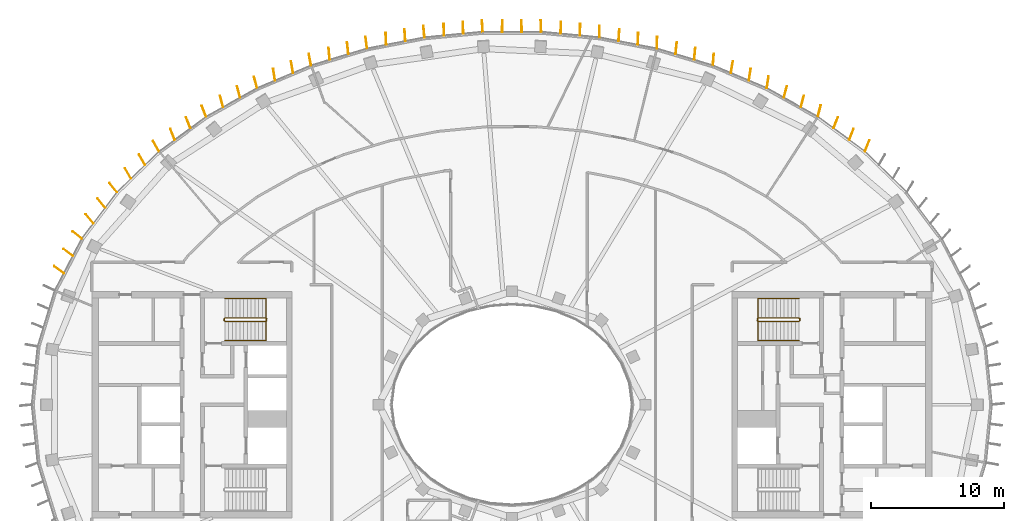
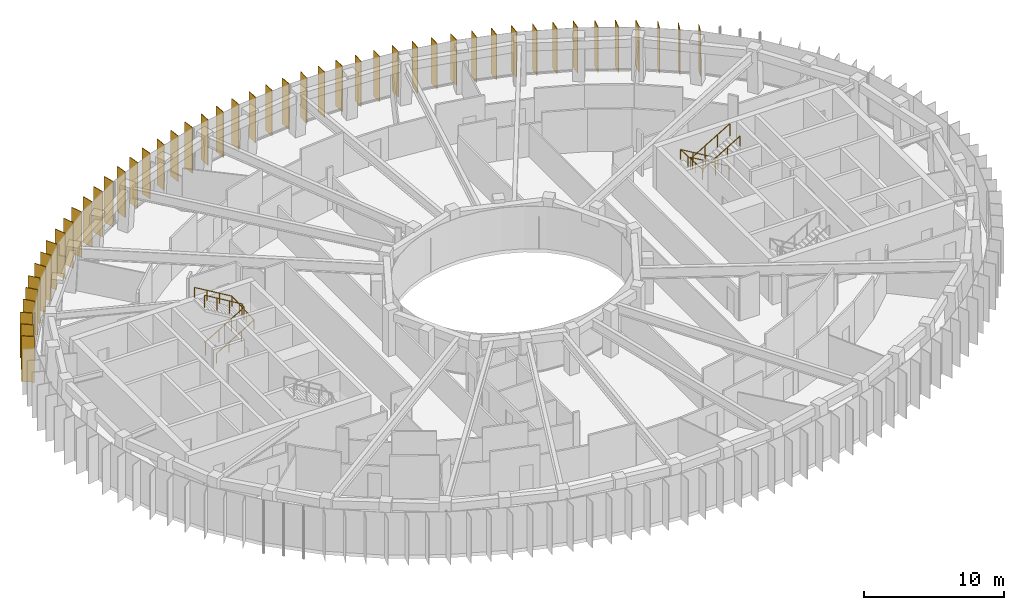
# One storey, part 12 of 13: 48 coverings, 4 railings.
"""IFC4 building model written with IfcOpenShell, lengths in metres."""

from ifc_helpers import new_model, si_unit, direction, frame, origin, origin_2d, place, context, subcontext, project, spatial, rectangle, extrude, material, material_profile, profile_set, type_object, element, save


model = new_model("IFC4")

# Units and contexts
model_context = context("Model", 3, precision=1e-05, world=origin(), true_north=direction((0.0, 1.0)))
body_context = subcontext(model_context, "Body", "Model", "MODEL_VIEW")
ifc_project = project(units=[si_unit("LENGTHUNIT", "METRE"), si_unit("AREAUNIT", "SQUARE_METRE"), si_unit("VOLUMEUNIT", "CUBIC_METRE"), si_unit("PLANEANGLEUNIT", "RADIAN"), si_unit("MASSUNIT", "GRAM", prefix="KILO")], contexts=[model_context])

# Site, building, storey
site_placement = place(None, origin())
site = spatial("IfcSite", under=ifc_project, at=site_placement, CompositionType="ELEMENT")
building_placement = place(site_placement, origin())
building = spatial("IfcBuilding", under=site, at=building_placement, Name="Noorbagh Ring Tower", CompositionType="ELEMENT")
storey_placement = place(building_placement, frame((0.0, 0.0, 327.0)))
storey = spatial("IfcBuildingStorey", under=building, at=storey_placement, Name="L71", CompositionType="ELEMENT", Elevation=327.0)

# Railings
ifc_material_1 = material(Name="Stainless steel", Category="steel")
railing_type_1 = type_object("IfcRailingType", Name="CORE-STAIR-GUARD", PredefinedType="GUARDRAIL", material=ifc_material_1)
railing_1_placement = place(storey_placement, frame((-21.580078125, 6.300048828125, 0.0)))
element("IfcRailing", 1, at=railing_1_placement, inside=storey, type_object=railing_type_1, Name="L71 ST1 stair guard", PredefinedType="GUARDRAIL", context=body_context, shape_type="SweptSolid", body=[
    extrude(rectangle(XDim=0.048095703125, YDim=0.048095703125, at=origin_2d()), frame((0.0, 0.0, 1.076171875), z_axis=(0.0, 1.0, 0.0), x_axis=(-1.0, 0.0, 0.0)), (0.0, 0.0, 1.0), 0.14990234375),
    extrude(rectangle(XDim=0.048095703125, YDim=0.048095703125, at=origin_2d()), frame((0.0, 0.14990234375, 1.076171875), z_axis=(0.188775798145, -0.754182335027, 0.628945707965), x_axis=(0.970072785993, 0.242814311512, 0.0)), (0.0, 0.0, 1.0), 0.26513671875),
    extrude(rectangle(XDim=0.048095703125, YDim=0.048095703125, at=origin_2d()), frame((0.050048828125, -0.050048828125, 1.24267578125), z_axis=(0.859308565015, 0.0, 0.511457515432), x_axis=(0.0, 1.0, 0.0)), (0.0, 0.0, 1.0), 3.58447265625),
    extrude(rectangle(XDim=0.048095703125, YDim=0.048095703125, at=origin_2d()), frame((3.130126953125, -0.050048828125, 3.076171875), z_axis=(0.707106781187, 0.707106781187, 0.0), x_axis=(-0.707106781187, 0.707106781187, 0.0)), (0.0, 0.0, 1.0), 0.07080078125),
    extrude(rectangle(XDim=0.048095703125, YDim=0.048095703125, at=origin_2d()), frame((3.18017578125, 0.0, 3.076171875), z_axis=(0.0, 1.0, 0.0), x_axis=(-1.0, 0.0, 0.0)), (0.0, 0.0, 1.0), 0.14990234375),
    extrude(rectangle(XDim=0.048095703125, YDim=0.048095703125, at=origin_2d()), frame((3.18017578125, 0.14990234375, 3.076171875), z_axis=(-0.27628659633, 0.27628659633, 0.920506074601), x_axis=(-0.707106781187, -0.707106781187, 0.0)), (0.0, 0.0, 1.0), 0.18115234375),
    extrude(rectangle(XDim=0.048095703125, YDim=0.048095703125, at=origin_2d()), frame((3.130126953125, 0.199951171875, 3.24267578125), z_axis=(-0.859308565015, 0.0, 0.511457515432), x_axis=(0.0, -1.0, 0.0)), (0.0, 0.0, 1.0), 3.58447265625),
    extrude(rectangle(XDim=0.0419921875, YDim=0.0419921875, at=origin_2d()), origin(), (0.0, 0.0, 1.0), 1.052001953125),
    extrude(rectangle(XDim=0.0419921875, YDim=0.0419921875, at=origin_2d()), frame((1.07666015625, -0.050048828125, 0.77783203125)), (0.0, 0.0, 1.0), 1.052001953125),
    extrude(rectangle(XDim=0.0419921875, YDim=0.0419921875, at=origin_2d()), frame((2.103515625, -0.050048828125, 1.388916015625)), (0.0, 0.0, 1.0), 1.052001953125),
    extrude(rectangle(XDim=0.0419921875, YDim=0.0419921875, at=origin_2d()), frame((3.130126953125, -0.050048828125, 2.0)), (0.0, 0.0, 1.0), 1.052001953125),
    extrude(rectangle(XDim=0.0419921875, YDim=0.0419921875, at=origin_2d()), frame((3.130126953125, 0.199951171875, 2.166748046875)), (0.0, 0.0, 1.0), 1.052001953125),
    extrude(rectangle(XDim=0.0419921875, YDim=0.0419921875, at=origin_2d()), frame((2.103515625, 0.199951171875, 2.77783203125)), (0.0, 0.0, 1.0), 1.052001953125),
    extrude(rectangle(XDim=0.0419921875, YDim=0.0419921875, at=origin_2d()), frame((1.07666015625, 0.199951171875, 3.388916015625)), (0.0, 0.0, 1.0), 1.052001953125),
    extrude(rectangle(XDim=0.0419921875, YDim=0.0419921875, at=origin_2d()), frame((0.050048828125, 0.199951171875, 4.0)), (0.0, 0.0, 1.0), 1.052001953125),
])
railing_2_placement = place(storey_placement, frame((21.580078125, 6.449951171875, 0.0)))
element("IfcRailing", 2, at=railing_2_placement, inside=storey, type_object=railing_type_1, Name="L71 ST3 stair guard", PredefinedType="GUARDRAIL", context=body_context, shape_type="SweptSolid", body=[
    extrude(rectangle(XDim=0.048095703125, YDim=0.048095703125, at=origin_2d()), frame((0.0, 0.0, 1.076171875), z_axis=(0.0, -1.0, 0.0), x_axis=(1.0, 0.0, 0.0)), (0.0, 0.0, 1.0), 0.14990234375),
    extrude(rectangle(XDim=0.048095703125, YDim=0.048095703125, at=origin_2d()), frame((0.0, -0.14990234375, 1.076171875), z_axis=(-0.188775798145, 0.754182335027, 0.628945707965), x_axis=(-0.970072785993, -0.242814311512, 0.0)), (0.0, 0.0, 1.0), 0.26513671875),
    extrude(rectangle(XDim=0.048095703125, YDim=0.048095703125, at=origin_2d()), frame((-0.050048828125, 0.050048828125, 1.24267578125), z_axis=(-0.859308565015, 0.0, 0.511457515432), x_axis=(0.0, -1.0, 0.0)), (0.0, 0.0, 1.0), 3.58447265625),
    extrude(rectangle(XDim=0.048095703125, YDim=0.048095703125, at=origin_2d()), frame((-3.130126953125, 0.050048828125, 3.076171875), z_axis=(-0.707106781187, -0.707106781187, 0.0), x_axis=(0.707106781187, -0.707106781187, 0.0)), (0.0, 0.0, 1.0), 0.07080078125),
    extrude(rectangle(XDim=0.048095703125, YDim=0.048095703125, at=origin_2d()), frame((-3.18017578125, 0.0, 3.076171875), z_axis=(0.0, -1.0, 0.0), x_axis=(1.0, 0.0, 0.0)), (0.0, 0.0, 1.0), 0.14990234375),
    extrude(rectangle(XDim=0.048095703125, YDim=0.048095703125, at=origin_2d()), frame((-3.18017578125, -0.14990234375, 3.076171875), z_axis=(0.27628659633, -0.27628659633, 0.920506074601), x_axis=(0.707106781187, 0.707106781187, 0.0)), (0.0, 0.0, 1.0), 0.18115234375),
    extrude(rectangle(XDim=0.048095703125, YDim=0.048095703125, at=origin_2d()), frame((-3.130126953125, -0.199951171875, 3.24267578125), z_axis=(0.859308565015, 0.0, 0.511457515432), x_axis=(0.0, 1.0, 0.0)), (0.0, 0.0, 1.0), 3.58447265625),
    extrude(rectangle(XDim=0.0419921875, YDim=0.0419921875, at=origin_2d()), origin(), (0.0, 0.0, 1.0), 1.052001953125),
    extrude(rectangle(XDim=0.0419921875, YDim=0.0419921875, at=origin_2d()), frame((-1.07666015625, 0.050048828125, 0.77783203125)), (0.0, 0.0, 1.0), 1.052001953125),
    extrude(rectangle(XDim=0.0419921875, YDim=0.0419921875, at=origin_2d()), frame((-2.103515625, 0.050048828125, 1.388916015625)), (0.0, 0.0, 1.0), 1.052001953125),
    extrude(rectangle(XDim=0.0419921875, YDim=0.0419921875, at=origin_2d()), frame((-3.130126953125, 0.050048828125, 2.0)), (0.0, 0.0, 1.0), 1.052001953125),
    extrude(rectangle(XDim=0.0419921875, YDim=0.0419921875, at=origin_2d()), frame((-3.130126953125, -0.199951171875, 2.166748046875)), (0.0, 0.0, 1.0), 1.052001953125),
    extrude(rectangle(XDim=0.0419921875, YDim=0.0419921875, at=origin_2d()), frame((-2.103515625, -0.199951171875, 2.77783203125)), (0.0, 0.0, 1.0), 1.052001953125),
    extrude(rectangle(XDim=0.0419921875, YDim=0.0419921875, at=origin_2d()), frame((-1.07666015625, -0.199951171875, 3.388916015625)), (0.0, 0.0, 1.0), 1.052001953125),
    extrude(rectangle(XDim=0.0419921875, YDim=0.0419921875, at=origin_2d()), frame((-0.050048828125, -0.199951171875, 4.0)), (0.0, 0.0, 1.0), 1.052001953125),
])
ifc_material_2 = material(Name="Stainless steel", Category="steel")
railing_type_2 = type_object("IfcRailingType", Name="CORE-STAIR-HANDRAIL", PredefinedType="HANDRAIL", material=ifc_material_2)
railing_3_placement = place(storey_placement, frame((-21.530029296875, 4.800048828125, 0.166748046875)))
element("IfcRailing", 3, at=railing_3_placement, inside=storey, type_object=railing_type_2, Name="L71 ST1 stair handrail", PredefinedType="HANDRAIL", context=body_context, shape_type="SweptSolid", body=[
    extrude(rectangle(XDim=0.048095703125, YDim=0.048095703125, at=origin_2d()), frame((0.0, 0.0, 0.8759765625), z_axis=(0.859308565015, 0.0, 0.511457515432), x_axis=(0.0, 1.0, 0.0)), (0.0, 0.0, 1.0), 3.58447265625),
    extrude(rectangle(XDim=0.048095703125, YDim=0.048095703125, at=origin_2d()), frame((3.080078125, 0.0, 2.708984375), z_axis=(0.0, 0.998601747152, 0.052863509014), x_axis=(-1.0, 0.0, 0.0)), (0.0, 0.0, 1.0), 3.154296875),
    extrude(rectangle(XDim=0.048095703125, YDim=0.048095703125, at=origin_2d()), frame((3.080078125, 3.14990234375, 2.8759765625), z_axis=(-0.859308565015, 0.0, 0.511457515432), x_axis=(0.0, -1.0, 0.0)), (0.0, 0.0, 1.0), 3.58447265625),
    extrude(rectangle(XDim=0.0419921875, YDim=0.0419921875, at=origin_2d()), origin(), (0.0, 0.0, 1.0), 0.851806640625),
    extrude(rectangle(XDim=0.0419921875, YDim=0.0419921875, at=origin_2d()), frame((1.026611328125, 0.0, 0.611083984375)), (0.0, 0.0, 1.0), 0.851806640625),
    extrude(rectangle(XDim=0.0419921875, YDim=0.0419921875, at=origin_2d()), frame((2.053466796875, 0.0, 1.22216796875)), (0.0, 0.0, 1.0), 0.851806640625),
    extrude(rectangle(XDim=0.0419921875, YDim=0.0419921875, at=origin_2d()), frame((3.080078125, 0.0, 1.833251953125)), (0.0, 0.0, 1.0), 0.851806640625),
    extrude(rectangle(XDim=0.0419921875, YDim=0.0419921875, at=origin_2d()), frame((3.080078125, 1.050048828125, 1.888916015625)), (0.0, 0.0, 1.0), 0.851806640625),
    extrude(rectangle(XDim=0.0419921875, YDim=0.0419921875, at=origin_2d()), frame((3.080078125, 2.099853515625, 1.9443359375)), (0.0, 0.0, 1.0), 0.851806640625),
    extrude(rectangle(XDim=0.0419921875, YDim=0.0419921875, at=origin_2d()), frame((3.080078125, 3.14990234375, 2.0)), (0.0, 0.0, 1.0), 0.851806640625),
    extrude(rectangle(XDim=0.0419921875, YDim=0.0419921875, at=origin_2d()), frame((2.053466796875, 3.14990234375, 2.611083984375)), (0.0, 0.0, 1.0), 0.851806640625),
    extrude(rectangle(XDim=0.0419921875, YDim=0.0419921875, at=origin_2d()), frame((1.026611328125, 3.14990234375, 3.22216796875)), (0.0, 0.0, 1.0), 0.851806640625),
    extrude(rectangle(XDim=0.0419921875, YDim=0.0419921875, at=origin_2d()), frame((0.0, 3.14990234375, 3.833251953125)), (0.0, 0.0, 1.0), 0.851806640625),
])
railing_4_placement = place(storey_placement, frame((21.530029296875, 7.949951171875, 0.166748046875)))
element("IfcRailing", 4, at=railing_4_placement, inside=storey, type_object=railing_type_2, Name="L71 ST3 stair handrail", PredefinedType="HANDRAIL", context=body_context, shape_type="SweptSolid", body=[
    extrude(rectangle(XDim=0.048095703125, YDim=0.048095703125, at=origin_2d()), frame((0.0, 0.0, 0.8759765625), z_axis=(-0.859308565015, 0.0, 0.511457515432), x_axis=(0.0, -1.0, 0.0)), (0.0, 0.0, 1.0), 3.58447265625),
    extrude(rectangle(XDim=0.048095703125, YDim=0.048095703125, at=origin_2d()), frame((-3.080078125, 0.0, 2.708984375), z_axis=(0.0, -0.998601747152, 0.052863509014), x_axis=(1.0, 0.0, 0.0)), (0.0, 0.0, 1.0), 3.154296875),
    extrude(rectangle(XDim=0.048095703125, YDim=0.048095703125, at=origin_2d()), frame((-3.080078125, -3.14990234375, 2.8759765625), z_axis=(0.859308565015, 0.0, 0.511457515432), x_axis=(0.0, 1.0, 0.0)), (0.0, 0.0, 1.0), 3.58447265625),
    extrude(rectangle(XDim=0.0419921875, YDim=0.0419921875, at=origin_2d()), origin(), (0.0, 0.0, 1.0), 0.851806640625),
    extrude(rectangle(XDim=0.0419921875, YDim=0.0419921875, at=origin_2d()), frame((-1.026611328125, 0.0, 0.611083984375)), (0.0, 0.0, 1.0), 0.851806640625),
    extrude(rectangle(XDim=0.0419921875, YDim=0.0419921875, at=origin_2d()), frame((-2.053466796875, 0.0, 1.22216796875)), (0.0, 0.0, 1.0), 0.851806640625),
    extrude(rectangle(XDim=0.0419921875, YDim=0.0419921875, at=origin_2d()), frame((-3.080078125, 0.0, 1.833251953125)), (0.0, 0.0, 1.0), 0.851806640625),
    extrude(rectangle(XDim=0.0419921875, YDim=0.0419921875, at=origin_2d()), frame((-3.080078125, -1.050048828125, 1.888916015625)), (0.0, 0.0, 1.0), 0.851806640625),
    extrude(rectangle(XDim=0.0419921875, YDim=0.0419921875, at=origin_2d()), frame((-3.080078125, -2.099853515625, 1.9443359375)), (0.0, 0.0, 1.0), 0.851806640625),
    extrude(rectangle(XDim=0.0419921875, YDim=0.0419921875, at=origin_2d()), frame((-3.080078125, -3.14990234375, 2.0)), (0.0, 0.0, 1.0), 0.851806640625),
    extrude(rectangle(XDim=0.0419921875, YDim=0.0419921875, at=origin_2d()), frame((-2.053466796875, -3.14990234375, 2.611083984375)), (0.0, 0.0, 1.0), 0.851806640625),
    extrude(rectangle(XDim=0.0419921875, YDim=0.0419921875, at=origin_2d()), frame((-1.026611328125, -3.14990234375, 3.22216796875)), (0.0, 0.0, 1.0), 0.851806640625),
    extrude(rectangle(XDim=0.0419921875, YDim=0.0419921875, at=origin_2d()), frame((0.0, -3.14990234375, 3.833251953125)), (0.0, 0.0, 1.0), 0.851806640625),
])

# Coverings
ifc_material_3 = material(Name="Aluminium 6063-T6 black anodised", Category="aluminium")
ifc_material_profile = material_profile(ifc_material_3, rectangle(XDim=0.89990234375, YDim=0.050048828125, at=origin_2d()), Name="900x50")
ifc_profile_set = profile_set([ifc_material_profile], Name="Aluminium 6063-T6 black anodised")
covering_type = type_object("IfcCoveringType", Name="ENV-FIN", PredefinedType="CLADDING", material=ifc_profile_set)
for number, where, z_axis, x_axis, name in (
    (5, (26.633544921875, 19.406982421875, -0.284912109375), (0.0, 0.0, 1.0), (0.36956351025, 0.929205473451, 0.0), "Fin F06 1 L71-L71"),
    (6, (25.455078125, 20.2744140625, -0.284912109375), (0.0, 0.0, 1.0), (0.366046969104, 0.930596376745, 0.0), "Fin F06 2 L71-L71"),
    (7, (24.277587890625, 21.1416015625, -0.284912109375), (0.0, 0.0, 1.0), (0.364533046139, 0.931190452202, 0.0), "Fin F06 3 L71-L71"),
    (8, (23.04736328125, 22.02587890625, -0.284912109375), (0.0, 0.0, 1.0), (0.247639241781, 0.968852313787, 0.0), "Fin F07 1 L71-L71"),
    (9, (21.773681640625, 22.740966796875, -0.284912109375), (0.0, 0.0, 1.0), (0.250260795191, 0.968178462057, 0.0), "Fin F07 2 L71-L71"),
    (10, (20.5009765625, 23.455810546875, -0.284912109375), (0.0, 0.0, 1.0), (0.254952183177, 0.966953661916, 0.0), "Fin F07 3 L71-L71"),
    (11, (19.1787109375, 24.18115234375, -0.284912109375), (0.0, 0.0, 1.0), (0.150807271851, 0.988563182987, 0.0), "Fin F08 1 L71-L71"),
    (12, (17.8349609375, 24.7470703125, -0.284912109375), (0.0, 0.0, 1.0), (0.159692607737, 0.987166789876, 0.0), "Fin F08 2 L71-L71"),
    (13, (16.491943359375, 25.312744140625, -0.284912109375), (0.0, 0.0, 1.0), (0.170506078168, 0.98535662443, 0.0), "Fin F08 3 L71-L71"),
    (14, (15.102294921875, 25.884521484375, -0.284912109375), (0.0, 0.0, 1.0), (0.078357246483, 0.996925344208, 0.0), "Fin F09 1 L71-L71"),
    (15, (13.708740234375, 26.304931640625, -0.284912109375), (0.0, 0.0, 1.0), (0.092918421481, 0.995673725148, 0.0), "Fin F09 2 L71-L71"),
    (16, (12.31591796875, 26.72509765625, -0.284912109375), (0.0, 0.0, 1.0), (0.109101232004, 0.994030643982, 0.0), "Fin F09 3 L71-L71"),
    (17, (10.878173828125, 27.148681640625, -0.284912109375), (0.0, 0.0, 1.0), (0.026776269089, 0.999641451428, 0.0), "Fin F10 1 L71-L71"),
    (18, (9.45166015625, 27.4267578125, -0.284912109375), (0.0, 0.0, 1.0), (0.045914966776, 0.998945351772, 0.0), "Fin F10 2 L71-L71"),
    (19, (8.025390625, 27.704833984375, -0.284912109375), (0.0, 0.0, 1.0), (0.066244569047, 0.997803416045, 0.0), "Fin F10 3 L71-L71"),
    (20, (6.555908203125, 27.984375, -0.284912109375), (0.0, 0.0, 1.0), (-0.009149395388, 0.999958143406, 0.0), "Fin F11 1 L71-L71"),
    (21, (5.1103515625, 28.12255859375, -0.284912109375), (0.0, 0.0, 1.0), (0.01311800313, 0.999913955295, 0.0), "Fin F11 2 L71-L71"),
    (22, (3.6650390625, 28.2607421875, -0.284912109375), (0.0, 0.0, 1.0), (0.036058216879, 0.999349691047, 0.0), "Fin F11 3 L71-L71"),
    (23, (2.17724609375, 28.399169921875, -0.284912109375), (0.0, 0.0, 1.0), (-0.035640795498, 0.999364665023, 0.0), "Fin F12 1 L71-L71"),
    (24, (0.7255859375, 28.398681640625, -0.284912109375), (0.0, 0.0, 1.0), (-0.011915412219, 0.999929008956, 0.0), "Fin F12 2 L71-L71"),
    (25, (-0.7255859375, 28.398681640625, -0.284912109375), (0.0, 0.0, 1.0), (0.011915412219, 0.999929008956, 0.0), "Fin F12 3 L71-L71"),
    (26, (-2.219970703125, 28.398681640625, -0.284912109375), (0.0, 0.0, 1.0), (-0.059468185924, 0.998230201338, 0.0), "Fin F13 1 L71-L71"),
    (27, (-3.6650390625, 28.2607421875, -0.284912109375), (0.0, 0.0, 1.0), (-0.036058216879, 0.999349691047, 0.0), "Fin F13 2 L71-L71"),
    (28, (-5.1103515625, 28.12255859375, -0.284912109375), (0.0, 0.0, 1.0), (-0.01311800313, 0.999913955295, 0.0), "Fin F13 3 L71-L71"),
    (29, (-6.599609375, 27.982666015625, -0.284912109375), (0.0, 0.0, 1.0), (-0.087584380503, 0.996157104222, 0.0), "Fin F14 1 L71-L71"),
    (30, (-8.025390625, 27.704833984375, -0.284912109375), (0.0, 0.0, 1.0), (-0.066244569047, 0.997803416045, 0.0), "Fin F14 2 L71-L71"),
    (31, (-9.45166015625, 27.4267578125, -0.284912109375), (0.0, 0.0, 1.0), (-0.045914966776, 0.998945351772, 0.0), "Fin F14 3 L71-L71"),
    (32, (-10.923583984375, 27.14501953125, -0.284912109375), (0.0, 0.0, 1.0), (-0.126759493419, 0.99193348105, 0.0), "Fin F15 1 L71-L71"),
    (33, (-12.31591796875, 26.72509765625, -0.284912109375), (0.0, 0.0, 1.0), (-0.109101232004, 0.994030643982, 0.0), "Fin F15 2 L71-L71"),
    (34, (-13.708740234375, 26.304931640625, -0.284912109375), (0.0, 0.0, 1.0), (-0.092918421481, 0.995673725148, 0.0), "Fin F15 3 L71-L71"),
    (35, (-15.14990234375, 25.878173828125, -0.284912109375), (0.0, 0.0, 1.0), (-0.183146311447, 0.983085666971, 0.0), "Fin F16 1 L71-L71"),
    (36, (-16.491943359375, 25.312744140625, -0.284912109375), (0.0, 0.0, 1.0), (-0.170506078168, 0.98535662443, 0.0), "Fin F16 2 L71-L71"),
    (37, (-17.8349609375, 24.7470703125, -0.284912109375), (0.0, 0.0, 1.0), (-0.159692607737, 0.987166789876, 0.0), "Fin F16 3 L71-L71"),
    (38, (-19.229248046875, 24.170166015625, -0.284912109375), (0.0, 0.0, 1.0), (-0.261666615878, 0.965158319725, 0.0), "Fin F17 1 L71-L71"),
    (39, (-20.5009765625, 23.455810546875, -0.284912109375), (0.0, 0.0, 1.0), (-0.254952183177, 0.966953661916, 0.0), "Fin F17 2 L71-L71"),
    (40, (-21.773681640625, 22.740966796875, -0.284912109375), (0.0, 0.0, 1.0), (-0.250260795191, 0.968178462057, 0.0), "Fin F17 3 L71-L71"),
    (41, (-23.100830078125, 22.00830078125, -0.284912109375), (0.0, 0.0, 1.0), (-0.365038143381, 0.930992563814, 0.0), "Fin F18 1 L71-L71"),
    (42, (-24.277587890625, 21.1416015625, -0.284912109375), (0.0, 0.0, 1.0), (-0.364533046139, 0.931190452202, 0.0), "Fin F18 2 L71-L71"),
    (43, (-25.455078125, 20.2744140625, -0.284912109375), (0.0, 0.0, 1.0), (-0.366046969104, 0.930596376745, 0.0), "Fin F18 3 L71-L71"),
    (44, (-26.689453125, 19.3798828125, -0.284912109375), (0.0, 0.0, 1.0), (-0.492240226633, 0.87045939554, 0.0), "Fin F19 1 L71-L71"),
    (45, (-27.73974609375, 18.360107421875, -0.284912109375), (0.0, 0.0, 1.0), (-0.497372201183, 0.867537257696, 0.0), "Fin F19 2 L71-L71"),
    (46, (-28.790771484375, 17.33984375, -0.284912109375), (0.0, 0.0, 1.0), (-0.504279796606, 0.86354032143, 0.0), "Fin F19 3 L71-L71"),
    (47, (-29.89892578125, 16.279052734375, -0.284912109375), (0.0, 0.0, 1.0), (-0.636392681103, 0.771365254233, 0.0), "Fin F20 1 L71-L71"),
    (48, (-30.785400390625, 15.111083984375, -0.284912109375), (0.0, 0.0, 1.0), (-0.645538637897, 0.76372761308, 0.0), "Fin F20 2 L71-L71"),
    (49, (-31.67236328125, 13.9423828125, -0.284912109375), (0.0, 0.0, 1.0), (-0.655973325588, 0.754784072511, 0.0), "Fin F20 3 L71-L71"),
    (50, (-32.612060546875, 12.71728515625, -0.284912109375), (0.0, 0.0, 1.0), (-0.782643528987, 0.622470165176, 0.0), "Fin F21 1 L71-L71"),
    (51, (-33.291748046875, 11.415771484375, -0.284912109375), (0.0, 0.0, 1.0), (-0.793137535147, 0.609042568579, 0.0), "Fin F21 2 L71-L71"),
    (52, (-33.9716796875, 10.113525390625, -0.284912109375), (0.0, 0.0, 1.0), (-0.804260303023, 0.59427717858, 0.0), "Fin F21 3 L71-L71"),
):
    element("IfcCovering", number, at=place(storey_placement, frame(where, z_axis=z_axis, x_axis=x_axis)), inside=storey, type_object=covering_type, Name=name, ObjectType="FIN", PredefinedType="CLADDING", context=body_context, shape_type="SweptSolid", body=[
        extrude(rectangle(XDim=0.89990234375, YDim=0.050048828125, at=origin_2d()), origin(), (0.0, 0.0, 1.0), 3.969970703125),
    ])

save(model, "model.ifc")
